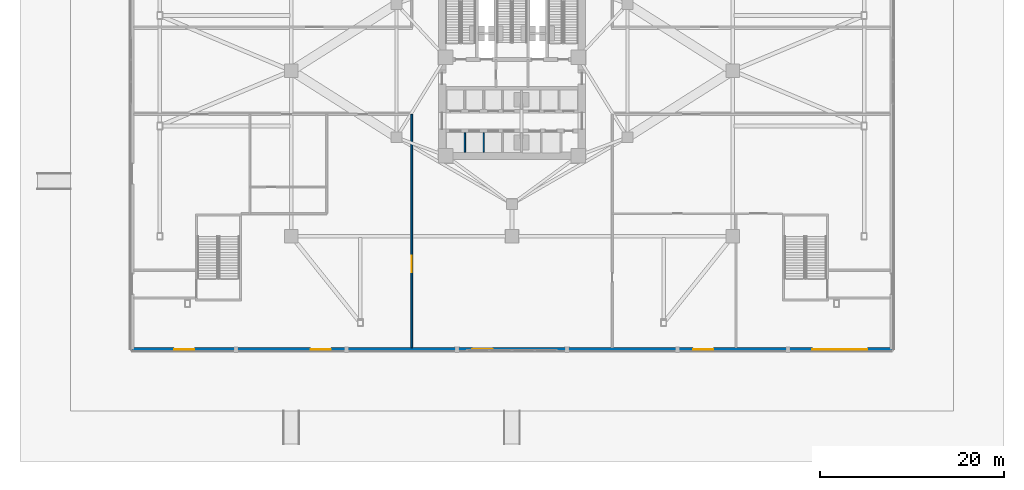
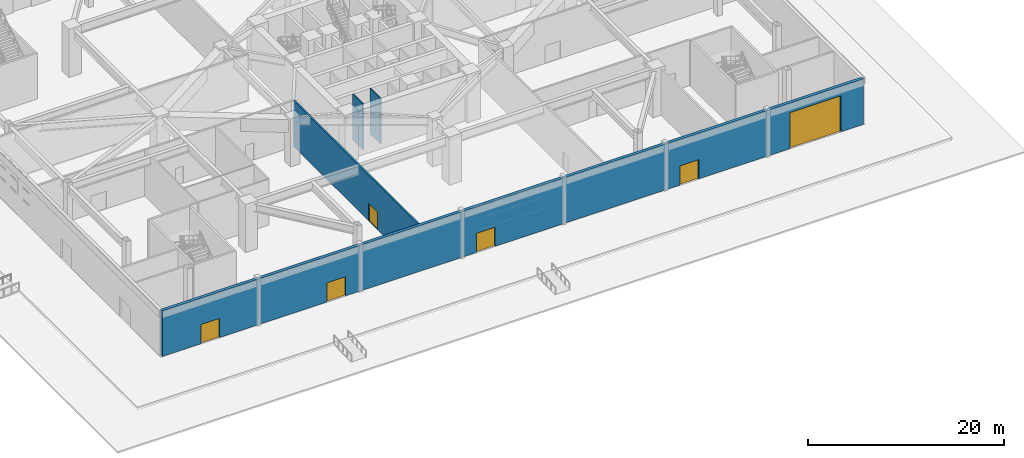
# One storey, part 10 of 24: 6 doors, 4 walls, 6 openings.
"""IFC4 building model written with IfcOpenShell, lengths in metres."""

from ifc_helpers import new_model, si_unit, direction, frame, frame_2d, origin, place, context, subcontext, project, spatial, rectangle, extrude, material, layer, layer_set, type_object, element, fill, save


model = new_model("IFC4")

# Units and contexts
model_context = context("Model", 3, precision=1e-05, world=origin(), true_north=direction((0.0, 1.0)))
body_context = subcontext(model_context, "Body", "Model", "MODEL_VIEW")
ifc_project = project(units=[si_unit("LENGTHUNIT", "METRE"), si_unit("AREAUNIT", "SQUARE_METRE"), si_unit("VOLUMEUNIT", "CUBIC_METRE"), si_unit("PLANEANGLEUNIT", "RADIAN"), si_unit("MASSUNIT", "GRAM", prefix="KILO")], contexts=[model_context])

# Site, building, storey
site_placement = place(None, origin())
site = spatial("IfcSite", under=ifc_project, at=site_placement, CompositionType="ELEMENT")
building_placement = place(site_placement, origin())
building = spatial("IfcBuilding", under=site, at=building_placement, Name="Apsidion Concourse Tower", CompositionType="ELEMENT")
storey_placement = place(building_placement, origin())
storey = spatial("IfcBuildingStorey", under=building, at=storey_placement, Name="L00", CompositionType="ELEMENT", Elevation=0.0)

# Wall, openings, doors
ifc_material_1 = material(Name="Precast concrete C40/50", Category="concrete")
ifc_layer_1 = layer(ifc_material_1, 0.360107421875)
ifc_layer_set_1 = layer_set([ifc_layer_1], Name="Precast concrete C40/50")
wall_type_1 = type_object("IfcWallType", Name="WL-EXT-360", PredefinedType="STANDARD", material=ifc_layer_set_1)
wall_1_placement = place(storey_placement, frame((41.300048828125, -30.300048828125, 0.0), z_axis=(0.0, 0.0, 1.0), x_axis=(-1.0, 0.0, 0.0)))
wall_1 = element("IfcWall", 1, at=wall_1_placement, inside=storey, type_object=wall_type_1, Name="L00 Podium Precast Stone Facade Wall S", PredefinedType="STANDARD", context=body_context, shape_type="SweptSolid", body=[
    extrude(rectangle(XDim=82.60009765625, YDim=0.360107421875, at=frame_2d((41.300048828125, 0.0))), origin(), (0.0, 0.0, 1.0), 5.699951171875),
])
opening_1_placement = place(wall_1_placement, frame((2.64990234375, 0.0, 0.0)))
opening_1 = element("IfcOpeningElement", 2, at=opening_1_placement, cuts=wall_1, Name="Opening D-RS1", PredefinedType="OPENING", context=body_context, shape_type="SweptSolid", body=[
    extrude(rectangle(XDim=6.0, YDim=4.5, at=frame_2d((3.0, 2.25))), frame((0.0, 0.18994140625, 0.0), z_axis=(0.0, -1.0, 0.0), x_axis=(1.0, 0.0, 0.0)), (0.0, 0.0, 1.0), 0.380126953125),
])
opening_2_placement = place(wall_1_placement, frame((19.39990234375, 0.0, 0.0)))
opening_2 = element("IfcOpeningElement", 3, at=opening_2_placement, cuts=wall_1, Name="Opening EX-01", PredefinedType="OPENING", context=body_context, shape_type="SweptSolid", body=[
    extrude(rectangle(XDim=2.199951171875, YDim=2.39990234375, at=frame_2d((1.10009765625, 1.199951171875))), frame((0.0, 0.18994140625, 0.0), z_axis=(0.0, -1.0, 0.0), x_axis=(1.0, 0.0, 0.0)), (0.0, 0.0, 1.0), 0.380126953125),
])
opening_3_placement = place(wall_1_placement, frame((43.39990234375, 0.0, 0.0)))
opening_3 = element("IfcOpeningElement", 4, at=opening_3_placement, cuts=wall_1, Name="Opening EX-02", PredefinedType="OPENING", context=body_context, shape_type="SweptSolid", body=[
    extrude(rectangle(XDim=2.199951171875, YDim=2.39990234375, at=frame_2d((1.10009765625, 1.199951171875))), frame((0.0, 0.18994140625, 0.0), z_axis=(0.0, -1.0, 0.0), x_axis=(1.0, 0.0, 0.0)), (0.0, 0.0, 1.0), 0.380126953125),
])
opening_4_placement = place(wall_1_placement, frame((61.0, 0.0, 0.0)))
opening_4 = element("IfcOpeningElement", 5, at=opening_4_placement, cuts=wall_1, Name="Opening EX-03", PredefinedType="OPENING", context=body_context, shape_type="SweptSolid", body=[
    extrude(rectangle(XDim=2.199951171875, YDim=2.39990234375, at=frame_2d((1.10009765625, 1.199951171875))), frame((0.0, 0.18994140625, 0.0), z_axis=(0.0, -1.0, 0.0), x_axis=(1.0, 0.0, 0.0)), (0.0, 0.0, 1.0), 0.380126953125),
])
opening_5_placement = place(wall_1_placement, frame((75.85009765625, 0.0, 0.0)))
opening_5 = element("IfcOpeningElement", 6, at=opening_5_placement, cuts=wall_1, Name="Opening EX-04", PredefinedType="OPENING", context=body_context, shape_type="SweptSolid", body=[
    extrude(rectangle(XDim=2.199951171875, YDim=2.39990234375, at=frame_2d((1.10009765625, 1.199951171875))), frame((0.0, 0.18994140625, 0.0), z_axis=(0.0, -1.0, 0.0), x_axis=(1.0, 0.0, 0.0)), (0.0, 0.0, 1.0), 0.380126953125),
])
ifc_material_2 = material(Name="Brushed stainless steel 316", Category="steel")
door_type_1 = type_object("IfcDoorType", Name="DR-EXT-2224", OperationType="DOUBLE_DOOR_SINGLE_SWING", PredefinedType="DOOR", material=ifc_material_2)
door_1_placement = place(opening_2_placement, origin())
door_1 = element("IfcDoor", 7, at=door_1_placement, inside=storey, type_object=door_type_1, Name="L00 Final Pedestrian Exit Door EX-01", OperationType="DOUBLE_DOOR_SINGLE_SWING", OverallHeight=2.39990234375, OverallWidth=2.199951171875, PredefinedType="DOOR", context=body_context, shape_type="SweptSolid", body=[
    extrude(rectangle(XDim=2.199951171875, YDim=2.39990234375, at=frame_2d((1.10009765625, 1.199951171875))), frame((0.0, 0.02490234375, 0.0), z_axis=(0.0, -1.0, 0.0), x_axis=(1.0, 0.0, 0.0)), (0.0, 0.0, 1.0), 0.050048828125),
])
fill(opening_2, door_1)
door_2_placement = place(opening_3_placement, origin())
door_2 = element("IfcDoor", 8, at=door_2_placement, inside=storey, type_object=door_type_1, Name="L00 Final Pedestrian Exit Door EX-02", OperationType="DOUBLE_DOOR_SINGLE_SWING", OverallHeight=2.39990234375, OverallWidth=2.199951171875, PredefinedType="DOOR", context=body_context, shape_type="SweptSolid", body=[
    extrude(rectangle(XDim=2.199951171875, YDim=2.39990234375, at=frame_2d((1.10009765625, 1.199951171875))), frame((0.0, 0.02490234375, 0.0), z_axis=(0.0, -1.0, 0.0), x_axis=(1.0, 0.0, 0.0)), (0.0, 0.0, 1.0), 0.050048828125),
])
fill(opening_3, door_2)
door_3_placement = place(opening_4_placement, origin())
door_3 = element("IfcDoor", 9, at=door_3_placement, inside=storey, type_object=door_type_1, Name="L00 Final Pedestrian Exit Door EX-03", OperationType="DOUBLE_DOOR_SINGLE_SWING", OverallHeight=2.39990234375, OverallWidth=2.199951171875, PredefinedType="DOOR", context=body_context, shape_type="SweptSolid", body=[
    extrude(rectangle(XDim=2.199951171875, YDim=2.39990234375, at=frame_2d((1.10009765625, 1.199951171875))), frame((0.0, 0.02490234375, 0.0), z_axis=(0.0, -1.0, 0.0), x_axis=(1.0, 0.0, 0.0)), (0.0, 0.0, 1.0), 0.050048828125),
])
fill(opening_4, door_3)
door_4_placement = place(opening_5_placement, origin())
door_4 = element("IfcDoor", 10, at=door_4_placement, inside=storey, type_object=door_type_1, Name="L00 Final Pedestrian Exit Door EX-04", OperationType="DOUBLE_DOOR_SINGLE_SWING", OverallHeight=2.39990234375, OverallWidth=2.199951171875, PredefinedType="DOOR", context=body_context, shape_type="SweptSolid", body=[
    extrude(rectangle(XDim=2.199951171875, YDim=2.39990234375, at=frame_2d((1.10009765625, 1.199951171875))), frame((0.0, 0.02490234375, 0.0), z_axis=(0.0, -1.0, 0.0), x_axis=(1.0, 0.0, 0.0)), (0.0, 0.0, 1.0), 0.050048828125),
])
fill(opening_5, door_4)
door_type_2 = type_object("IfcDoorType", Name="DR-GATE-6045", OperationType="ROLLINGUP", PredefinedType="GATE", material=ifc_material_2)
door_5_placement = place(opening_1_placement, origin())
door_5 = element("IfcDoor", 11, at=door_5_placement, inside=storey, type_object=door_type_2, Name="L00 Convention Loading Bay Roller Shutter Gate D-RS1", OperationType="ROLLINGUP", OverallHeight=4.5, OverallWidth=6.0, PredefinedType="GATE", context=body_context, shape_type="SweptSolid", body=[
    extrude(rectangle(XDim=6.0, YDim=4.5, at=frame_2d((3.0, 2.25))), frame((0.0, 0.02490234375, 0.0), z_axis=(0.0, -1.0, 0.0), x_axis=(1.0, 0.0, 0.0)), (0.0, 0.0, 1.0), 0.050048828125),
])
fill(opening_1, door_5)

# Walls
ifc_material_3 = material(Name="Gypsum plasterboard partition")
ifc_layer_2 = layer(ifc_material_3, 0.14990234375)
ifc_layer_set_2 = layer_set([ifc_layer_2], Name="Gypsum plasterboard partition")
wall_type_2 = type_object("IfcWallType", Name="WL-INT-PAR-150", PredefinedType="PARTITIONING", material=ifc_layer_set_2)
for number, where, z_axis, x_axis, name in (
    (12, (-5.125, -8.85009765625, 0.0), (0.0, 0.0, 1.0), (0.0, 1.0, 0.0), "L00 Interior Partition WL-L00-B2DIV-1"),
    (13, (-3.074951171875, -8.85009765625, 0.0), (0.0, 0.0, 1.0), (0.0, 1.0, 0.0), "L00 Interior Partition WL-L00-B2DIV-2"),
):
    element("IfcWall", number, at=place(storey_placement, frame(where, z_axis=z_axis, x_axis=x_axis)), inside=storey, type_object=wall_type_2, Name=name, PredefinedType="PARTITIONING", context=body_context, shape_type="SweptSolid", body=[
        extrude(rectangle(XDim=2.080078125, YDim=0.14990234375, at=frame_2d((1.0400390625, 0.0))), origin(), (0.0, 0.0, 1.0), 5.699951171875),
    ])

# Wall, opening, door
ifc_layer_3 = layer(ifc_material_3, 0.199951171875)
ifc_layer_set_3 = layer_set([ifc_layer_3], Name="Gypsum plasterboard partition")
wall_type_3 = type_object("IfcWallType", Name="WL-INT-PAR-200", PredefinedType="PARTITIONING", material=ifc_layer_set_3)
wall_2_placement = place(storey_placement, frame((-10.89990234375, -30.10498046875, 0.0), z_axis=(0.0, 0.0, 1.0), x_axis=(0.0, 1.0, 0.0)))
wall_2 = element("IfcWall", 14, at=wall_2_placement, inside=storey, type_object=wall_type_3, Name="L00 Interior Partition WL-L00-SW-E", PredefinedType="PARTITIONING", context=body_context, shape_type="SweptSolid", body=[
    extrude(rectangle(XDim=25.35498046875, YDim=0.199951171875, at=frame_2d((12.677490234375, 0.0))), origin(), (0.0, 0.0, 1.0), 5.699951171875),
])
opening_6_placement = place(wall_2_placement, frame((8.205078125, 0.0, 0.0)))
opening_6 = element("IfcOpeningElement", 15, at=opening_6_placement, cuts=wall_2, Name="Opening D-06D", PredefinedType="OPENING", context=body_context, shape_type="SweptSolid", body=[
    extrude(rectangle(XDim=1.800048828125, YDim=2.199951171875, at=frame_2d((0.89990234375, 1.10009765625))), frame((0.0, 0.10986328125, 0.0), z_axis=(0.0, -1.0, 0.0), x_axis=(1.0, 0.0, 0.0)), (0.0, 0.0, 1.0), 0.219970703125),
])
door_type_3 = type_object("IfcDoorType", Name="DR-INT-D06D", OperationType="DOUBLE_DOOR_SINGLE_SWING", PredefinedType="DOOR", material=ifc_material_2)
door_6_placement = place(opening_6_placement, origin())
door_6 = element("IfcDoor", 16, at=door_6_placement, inside=storey, type_object=door_type_3, Name="South Concourse Retail Door", OperationType="DOUBLE_DOOR_SINGLE_SWING", OverallHeight=2.199951171875, OverallWidth=1.800048828125, PredefinedType="DOOR", context=body_context, shape_type="SweptSolid", body=[
    extrude(rectangle(XDim=1.800048828125, YDim=2.199951171875, at=frame_2d((0.89990234375, 1.10009765625))), frame((0.0, 0.02490234375, 0.0), z_axis=(0.0, -1.0, 0.0), x_axis=(1.0, 0.0, 0.0)), (0.0, 0.0, 1.0), 0.050048828125),
])
fill(opening_6, door_6)

save(model, "model.ifc")
